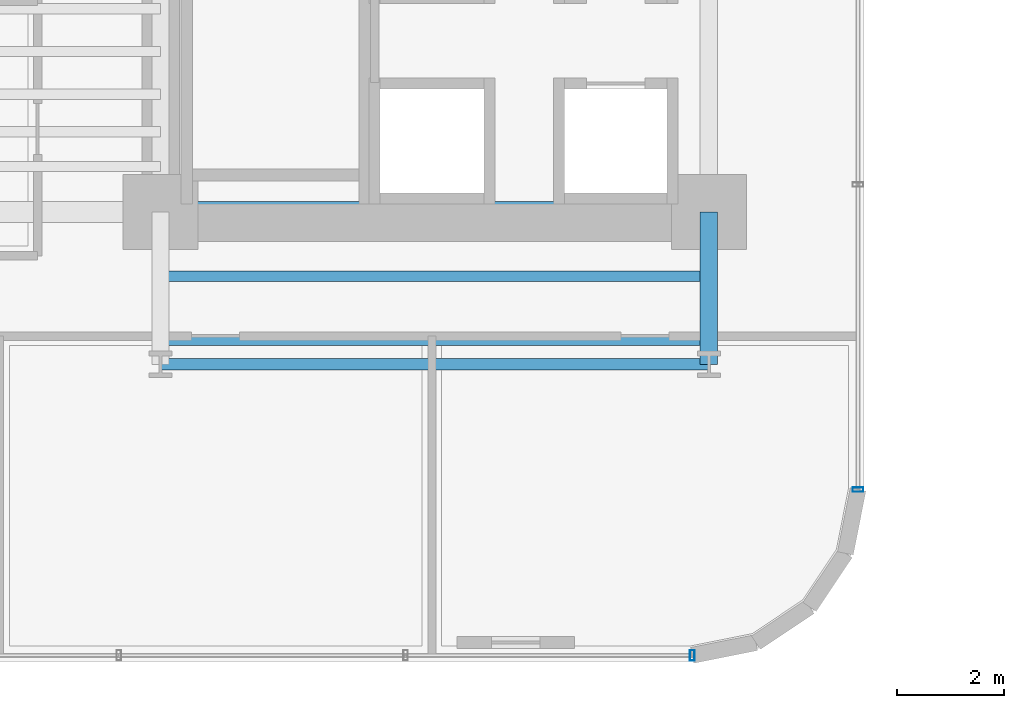
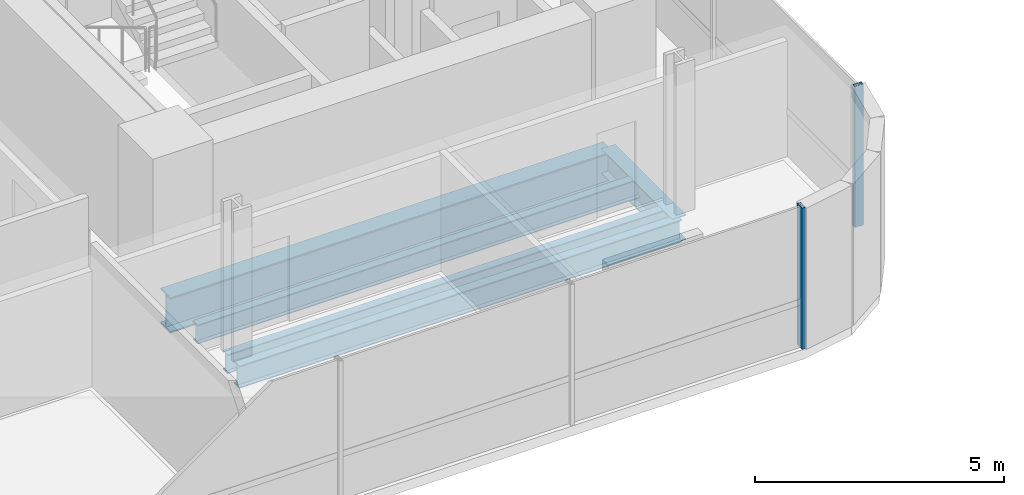
# One storey, part 5 of 41: 5 beams, 2 members, 2 elements without a shape of their own.
"""IFC4 building model written with IfcOpenShell, lengths in metres."""

from ifc_helpers import new_model, si_unit, direction, frame, origin, origin_2d, place, context, subcontext, project, spatial, hollow_rectangle, i_section, extrude, source, transform, mapped, material, material_profile, profile_set, type_object, element, aggregate, save


model = new_model("IFC4")

# Units and contexts
model_context = context("Model", 3, precision=1e-05, world=origin(), true_north=direction((0.0, 1.0)))
body_context = subcontext(model_context, "Body", "Model", "MODEL_VIEW")
ifc_project = project(units=[si_unit("LENGTHUNIT", "METRE"), si_unit("AREAUNIT", "SQUARE_METRE"), si_unit("VOLUMEUNIT", "CUBIC_METRE"), si_unit("PLANEANGLEUNIT", "RADIAN"), si_unit("MASSUNIT", "GRAM", prefix="KILO")], contexts=[model_context])

# Site, building, storey
site_placement = place(None, origin())
site = spatial("IfcSite", under=ifc_project, at=site_placement, CompositionType="ELEMENT")
building_placement = place(site_placement, origin())
building = spatial("IfcBuilding", under=site, at=building_placement, Name="Valdorenza Pilgrim Sanctuary Tower", CompositionType="ELEMENT")
storey_placement = place(building_placement, frame((0.0, 0.0, 88.89990234375)))
storey = spatial("IfcBuildingStorey", under=building, at=storey_placement, Name="L22", CompositionType="ELEMENT", Elevation=88.89990234375)

# Beams
ifc_material_1 = material(Name="Steel ASTM A992 Grade 50", Category="steel")
ifc_material_profile_1 = material_profile(ifc_material_1, i_section(OverallWidth=0.214111328125, OverallDepth=0.549072265625, WebThickness=0.0146484375, FlangeThickness=0.023681640625, at=origin_2d()), Name="W21X93")
ifc_profile_set_1 = profile_set([ifc_material_profile_1], Name="Steel ASTM A992 Grade 50")
beam_type_1 = type_object("IfcBeamType", Name="STR-BM-SPN-W21A", PredefinedType="SPANDREL", material=ifc_profile_set_1)
shared_shape_1 = source(origin(), body_context, "Body", "SweptSolid", [
    extrude(i_section(OverallWidth=0.214111328125, OverallDepth=0.549072265625, WebThickness=0.0146484375, FlangeThickness=0.023681640625, at=origin_2d()), origin(), (0.0, 0.0, 1.0), 10.25),
])
beam_1_placement = place(storey_placement, frame((-22.64990234375, -13.449951171875, -0.514404296875), z_axis=(1.0, 0.0, 0.0), x_axis=(0.0, 1.0, 0.0)))
element("IfcBeam", 1, at=beam_1_placement, inside=storey, type_object=beam_type_1, Name="L22 South Spandrel WA-S-TIE", PredefinedType="SPANDREL", context=body_context, shape_type="MappedRepresentation", body=[
    mapped(shared_shape_1, transform((0.0, 0.0, 0.0), x_axis=(1.0, 0.0, 0.0), y_axis=(0.0, 1.0, 0.0), z_axis=(0.0, 0.0, 1.0), scale=1.0)),
])
ifc_material_profile_2 = material_profile(ifc_material_1, i_section(OverallWidth=0.323974609375, OverallDepth=0.611083984375, WebThickness=0.0126953125, FlangeThickness=0.01904296875, at=origin_2d()), Name="W24X104")
ifc_profile_set_2 = profile_set([ifc_material_profile_2], Name="Steel ASTM A992 Grade 50")
beam_type_2 = type_object("IfcBeamType", Name="STR-BM-GRD-W24B", PredefinedType="BEAM", material=ifc_profile_set_2)
shared_shape_2 = source(origin(), body_context, "Body", "SweptSolid", [
    extrude(i_section(OverallWidth=0.323974609375, OverallDepth=0.611083984375, WebThickness=0.0126953125, FlangeThickness=0.01904296875, at=origin_2d()), origin(), (0.0, 0.0, 1.0), 2.849853515625),
])
beam_2_placement = place(storey_placement, frame((-12.39990234375, -13.449951171875, -0.54541015625), z_axis=(0.0, 1.0, 0.0), x_axis=(-1.0, 0.0, 0.0)))
element("IfcBeam", 2, at=beam_2_placement, inside=storey, type_object=beam_type_2, Name="L22 Floor Girder WA-S-LE", PredefinedType="BEAM", context=body_context, shape_type="MappedRepresentation", body=[
    mapped(shared_shape_2, transform((0.0, 0.0, 0.0), x_axis=(1.0, 0.0, 0.0), y_axis=(0.0, 1.0, 0.0), z_axis=(0.0, 0.0, 1.0), scale=1.0)),
])
ifc_material_profile_3 = material_profile(ifc_material_1, i_section(OverallWidth=0.193115234375, OverallDepth=0.466064453125, WebThickness=0.011474609375, FlangeThickness=0.01904296875, at=origin_2d()), Name="W18X65")
ifc_profile_set_3 = profile_set([ifc_material_profile_3], Name="Steel ASTM A992 Grade 50")
beam_type_3 = type_object("IfcBeamType", Name="STR-BM-JST-W18A", PredefinedType="JOIST", material=ifc_profile_set_3)
shared_shape_3 = source(origin(), body_context, "Body", "SweptSolid", [
    extrude(i_section(OverallWidth=0.193115234375, OverallDepth=0.466064453125, WebThickness=0.011474609375, FlangeThickness=0.01904296875, at=origin_2d()), origin(), (0.0, 0.0, 1.0), 10.25),
])
for number, where, z_axis, x_axis, name in (
    (3, (-22.64990234375, -13.0, -0.472900390625), (1.0, 0.0, 0.0), (0.0, 1.0, 0.0), "L22 Composite Floor Joist JST-WAS-1"),
    (4, (-22.64990234375, -11.800048828125, -0.472900390625), (1.0, 0.0, 0.0), (0.0, 1.0, 0.0), "L22 Composite Floor Joist JST-WAS-2"),
):
    element("IfcBeam", number, at=place(storey_placement, frame(where, z_axis=z_axis, x_axis=x_axis)), inside=storey, type_object=beam_type_3, Name=name, PredefinedType="JOIST", context=body_context, shape_type="MappedRepresentation", body=[
        mapped(shared_shape_3, transform((0.0, 0.0, 0.0), x_axis=(1.0, 0.0, 0.0), y_axis=(0.0, 1.0, 0.0), z_axis=(0.0, 0.0, 1.0), scale=1.0)),
    ])
ifc_material_profile_4 = material_profile(ifc_material_1, i_section(OverallWidth=0.39990234375, OverallDepth=0.862060546875, WebThickness=0.019775390625, FlangeThickness=0.032470703125, at=origin_2d()), Name="W33X221")
ifc_profile_set_4 = profile_set([ifc_material_profile_4], Name="Steel ASTM A992 Grade 50")
beam_type_4 = type_object("IfcBeamType", Name="STR-BM-GRD-W33", PredefinedType="BEAM", material=ifc_profile_set_4)
shared_shape_4 = source(origin(), body_context, "Body", "SweptSolid", [
    extrude(i_section(OverallWidth=0.39990234375, OverallDepth=0.862060546875, WebThickness=0.019775390625, FlangeThickness=0.032470703125, at=origin_2d()), origin(), (0.0, 0.0, 1.0), 10.25),
])
beam_3_placement = place(storey_placement, frame((-22.64990234375, -10.60009765625, -0.6708984375), z_axis=(1.0, 0.0, 0.0), x_axis=(0.0, 1.0, 0.0)))
element("IfcBeam", 5, at=beam_3_placement, inside=storey, type_object=beam_type_4, Name="L22 Floor Girder CA-XC-S1", PredefinedType="BEAM", context=body_context, shape_type="MappedRepresentation", body=[
    mapped(shared_shape_4, transform((0.0, 0.0, 0.0), x_axis=(1.0, 0.0, 0.0), y_axis=(0.0, 1.0, 0.0), z_axis=(0.0, 0.0, 1.0), scale=1.0)),
])

# Curtain wall, member
ifc_material_2 = material(Name="Curtain-wall IGU glazing", Category="glass")
curtain_wall_type = type_object("IfcCurtainWallType", Name="CW-SYS-02", PredefinedType="NOTDEFINED", material=ifc_material_2)
curtain_wall_1_placement = place(storey_placement, origin())
curtain_wall_1 = element("IfcCurtainWall", 6, at=curtain_wall_1_placement, inside=storey, type_object=curtain_wall_type, Name="L22 Curtain Wall CW-L22-1-41", PredefinedType="NOTDEFINED")
ifc_material_3 = material(Name="Anodised aluminium AW-6060", Category="aluminium")
ifc_material_profile_5 = material_profile(ifc_material_3, hollow_rectangle(XDim=0.0849609375, YDim=0.199951171875, WallThickness=0.0048828125, at=origin_2d()), Name="ALU-M 200x85x5")
ifc_profile_set_5 = profile_set([ifc_material_profile_5], Name="Anodised aluminium AW-6060")
member_type = type_object("IfcMemberType", Name="CW-MUL-02", PredefinedType="MULLION", material=ifc_profile_set_5)
shared_shape_5 = source(origin(), body_context, "Body", "SweptSolid", [
    extrude(hollow_rectangle(XDim=0.0849609375, YDim=0.199951171875, WallThickness=0.0048828125, at=origin_2d()), origin(), (0.0, 0.0, 1.0), 3.460205078125),
])
member_1_placement = place(storey_placement, frame((-9.610107421875, -15.789306640625, 0.0), z_axis=(0.0, 0.0, 1.0), x_axis=(0.0, -1.0, 0.0)))
member_1 = element("IfcMember", 7, at=member_1_placement, type_object=member_type, Name="CW-L22-1-41 Mullion 5", PredefinedType="MULLION", context=body_context, shape_type="MappedRepresentation", body=[
    mapped(shared_shape_5, transform((0.0, 0.0, 0.0), x_axis=(1.0, 0.0, 0.0), y_axis=(0.0, 1.0, 0.0), z_axis=(0.0, 0.0, 1.0), scale=1.0)),
])
aggregate(curtain_wall_1, [member_1])

curtain_wall_2_placement = place(storey_placement, origin())
curtain_wall_2 = element("IfcCurtainWall", 8, at=curtain_wall_2_placement, inside=storey, type_object=curtain_wall_type, Name="L22 Curtain Wall CW-L22-1-46", PredefinedType="NOTDEFINED")
member_2_placement = place(storey_placement, frame((-12.710693359375, -18.889892578125, 0.0), z_axis=(0.0, 0.0, 1.0), x_axis=(-1.0, 0.0, 0.0)))
member_2 = element("IfcMember", 9, at=member_2_placement, type_object=member_type, Name="CW-L22-1-46 Mullion 1", PredefinedType="MULLION", context=body_context, shape_type="MappedRepresentation", body=[
    mapped(shared_shape_5, transform((0.0, 0.0, 0.0), x_axis=(1.0, 0.0, 0.0), y_axis=(0.0, 1.0, 0.0), z_axis=(0.0, 0.0, 1.0), scale=1.0)),
])
aggregate(curtain_wall_2, [member_2])

save(model, "model.ifc")
